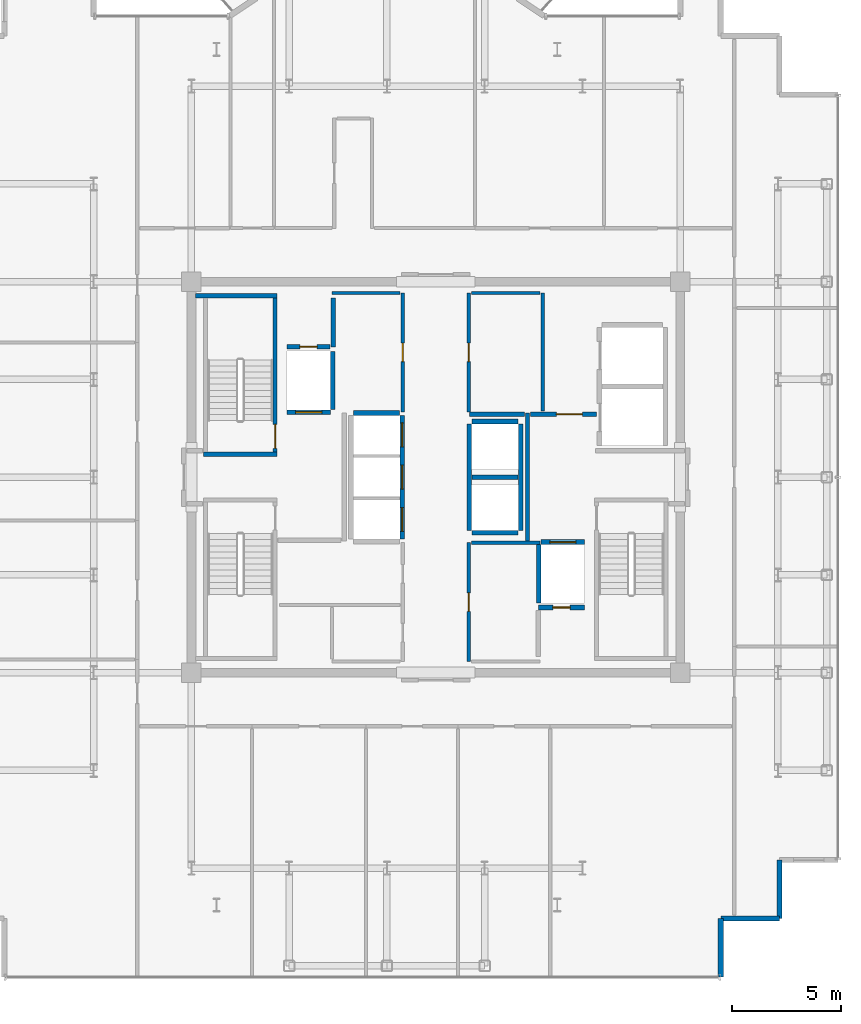
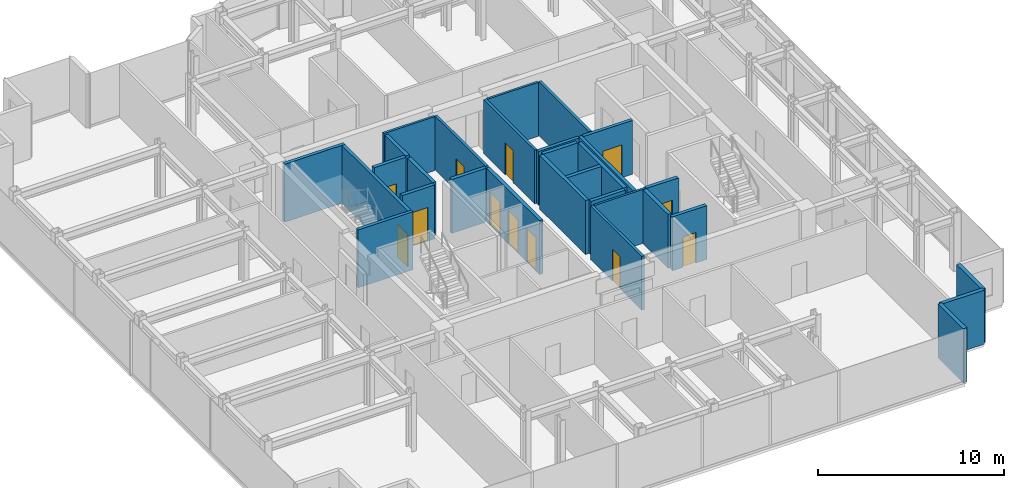
# One storey, part 14 of 18: 30 walls, 12 doors, 12 openings.
"""IFC4 building model written with IfcOpenShell, lengths in metres."""

from ifc_helpers import new_model, si_unit, direction, frame, frame_2d, origin, place, context, subcontext, project, spatial, rectangle, extrude, source, transform, mapped, material, layer, layer_set, type_object, element, fill, save


model = new_model("IFC4")

# Units and contexts
model_context = context("Model", 3, precision=1e-05, world=origin(), true_north=direction((0.0, 1.0)))
body_context = subcontext(model_context, "Body", "Model", "MODEL_VIEW")
ifc_project = project(units=[si_unit("LENGTHUNIT", "METRE"), si_unit("AREAUNIT", "SQUARE_METRE"), si_unit("VOLUMEUNIT", "CUBIC_METRE"), si_unit("PLANEANGLEUNIT", "RADIAN"), si_unit("MASSUNIT", "GRAM", prefix="KILO")], contexts=[model_context])

# Site, building, storey
site_placement = place(None, origin())
site = spatial("IfcSite", under=ifc_project, at=site_placement, CompositionType="ELEMENT")
building_placement = place(site_placement, origin())
building = spatial("IfcBuilding", under=site, at=building_placement, Name="Nefas-Gora Pilgrimage Tower", CompositionType="ELEMENT")
storey_placement = place(building_placement, frame((0.0, 0.0, 326.199951171875)))
storey = spatial("IfcBuildingStorey", under=building, at=storey_placement, Name="L82", CompositionType="ELEMENT", Elevation=326.199951171875)

# Walls
ifc_material_1 = material(Name="Precast concrete C45/55", Category="concrete")
ifc_layer_1 = layer(ifc_material_1, 0.239990234375)
ifc_layer_set_1 = layer_set([ifc_layer_1], Name="Precast concrete C45/55")
wall_type_1 = type_object("IfcWallType", Name="EW-SERR-240", PredefinedType="SHEAR", material=ifc_layer_set_1)
shared_shape_1 = source(origin(), body_context, "Body", "SweptSolid", [
    extrude(rectangle(XDim=2.699951171875, YDim=0.239990234375, at=frame_2d((1.35009765625, 0.0))), origin(), (0.0, 0.0, 1.0), 3.550048828125),
])
for number, where, z_axis, x_axis, name in (
    (1, (13.1201171875, -23.02001953125, 0.0), (0.0, 0.0, 1.0), (0.0, 1.0, 0.0), "L82 Serrated Corner Shear Pier Wall 25"),
    (2, (13.1201171875, -20.320068359375, 0.0), (0.0, 0.0, 1.0), (1.0, 0.0, 0.0), "L82 Serrated Corner Shear Pier Wall 26"),
    (3, (15.820068359375, -20.320068359375, 0.0), (0.0, 0.0, 1.0), (0.0, 1.0, 0.0), "L82 Serrated Corner Shear Pier Wall 27"),
):
    element("IfcWall", number, at=place(storey_placement, frame(where, z_axis=z_axis, x_axis=x_axis)), inside=storey, type_object=wall_type_1, Name=name, PredefinedType="SHEAR", context=body_context, shape_type="MappedRepresentation", body=[
        mapped(shared_shape_1, transform((0.0, 0.0, 0.0), x_axis=(1.0, 0.0, 0.0), y_axis=(0.0, 1.0, 0.0), z_axis=(0.0, 0.0, 1.0), scale=1.0)),
    ])
ifc_material_2 = material(Name="Concrete C45/55", Category="concrete")
ifc_layer_2 = layer(ifc_material_2, 0.199951171875)
ifc_layer_set_2 = layer_set([ifc_layer_2], Name="Concrete C45/55")
wall_type_2 = type_object("IfcWallType", Name="IW-STAIR-200", PredefinedType="SOLIDWALL", material=ifc_layer_set_2)
shared_shape_2 = source(origin(), body_context, "Body", "SweptSolid", [
    extrude(rectangle(XDim=3.39990234375, YDim=0.199951171875, at=frame_2d((1.699951171875, 0.0))), origin(), (0.0, 0.0, 1.0), 3.800048828125),
])
wall_1_placement = place(storey_placement, frame((-7.300048828125, 1.050048828125, 0.0), z_axis=(0.0, 0.0, 1.0), x_axis=(-1.0, 0.0, 0.0)))
element("IfcWall", 4, at=wall_1_placement, inside=storey, type_object=wall_type_2, Name="L82 Stairwell Shear Wall ST-01-near", PredefinedType="SOLIDWALL", context=body_context, shape_type="MappedRepresentation", body=[
    mapped(shared_shape_2, transform((0.0, 0.0, 0.0), x_axis=(1.0, 0.0, 0.0), y_axis=(0.0, 1.0, 0.0), z_axis=(0.0, 0.0, 1.0), scale=1.0)),
])

# Wall, opening, door
shared_shape_3 = source(origin(), body_context, "Body", "SweptSolid", [
    extrude(rectangle(XDim=7.10009765625, YDim=0.199951171875, at=frame_2d((3.550048828125, 0.0))), origin(), (0.0, 0.0, 1.0), 3.800048828125),
])
wall_2_placement = place(storey_placement, frame((-7.39990234375, 1.14990234375, 0.0), z_axis=(0.0, 0.0, 1.0), x_axis=(0.0, 1.0, 0.0)))
wall_2 = element("IfcWall", 5, at=wall_2_placement, inside=storey, type_object=wall_type_2, Name="L82 Stairwell Shear Wall ST-01-left", PredefinedType="SOLIDWALL", context=body_context, shape_type="MappedRepresentation", body=[
    mapped(shared_shape_3, transform((0.0, 0.0, 0.0), x_axis=(1.0, 0.0, 0.0), y_axis=(0.0, 1.0, 0.0), z_axis=(0.0, 0.0, 1.0), scale=1.0)),
])
opening_1_placement = place(wall_2_placement, frame((0.179931640625, 0.0, 0.0)))
opening_1 = element("IfcOpeningElement", 6, at=opening_1_placement, cuts=wall_2, Name="Opening ID-ST1", PredefinedType="OPENING", context=body_context, shape_type="SweptSolid", body=[
    extrude(rectangle(XDim=1.10009765625, YDim=2.14990234375, at=frame_2d((0.550048828125, 1.074951171875))), frame((0.0, 0.10986328125, 0.0), z_axis=(0.0, -1.0, 0.0), x_axis=(1.0, 0.0, 0.0)), (0.0, 0.0, 1.0), 0.219970703125),
])
ifc_material_3 = material(Name="Painted galvanised steel fire stair door", Category="steel")
door_type_1 = type_object("IfcDoorType", Name="DR-INT-STAIR-1100", OperationType="NOTDEFINED", PredefinedType="DOOR", material=ifc_material_3)
shared_shape_4 = source(origin(), body_context, "Body", "SweptSolid", [
    extrude(rectangle(XDim=1.10009765625, YDim=2.14990234375, at=frame_2d((0.550048828125, 1.074951171875))), frame((0.0, 0.02490234375, 0.0), z_axis=(0.0, -1.0, 0.0), x_axis=(1.0, 0.0, 0.0)), (0.0, 0.0, 1.0), 0.050048828125),
])
door_1_placement = place(opening_1_placement, origin())
door_1 = element("IfcDoor", 7, at=door_1_placement, inside=storey, type_object=door_type_1, Name="L82 Protected Exit Stair Door ST-01", OperationType="SINGLE_SWING_RIGHT", OverallHeight=2.14990234375, OverallWidth=1.10009765625, PredefinedType="DOOR", context=body_context, shape_type="MappedRepresentation", body=[
    mapped(shared_shape_4, transform((0.0, 0.0, 0.0), x_axis=(1.0, 0.0, 0.0), y_axis=(0.0, 1.0, 0.0), z_axis=(0.0, 0.0, 1.0), scale=1.0)),
])
fill(opening_1, door_1)

# Wall
shared_shape_5 = source(origin(), body_context, "Body", "SweptSolid", [
    extrude(rectangle(XDim=3.7548828125, YDim=0.199951171875, at=frame_2d((1.87744140625, 0.0))), origin(), (0.0, 0.0, 1.0), 3.800048828125),
])
wall_3_placement = place(storey_placement, frame((-7.300048828125, 8.35009765625, 0.0), z_axis=(0.0, 0.0, 1.0), x_axis=(-1.0, 0.0, 0.0)))
element("IfcWall", 8, at=wall_3_placement, inside=storey, type_object=wall_type_2, Name="L82 Stairwell Shear Wall ST-01-far", PredefinedType="SOLIDWALL", context=body_context, shape_type="MappedRepresentation", body=[
    mapped(shared_shape_5, transform((0.0, 0.0, 0.0), x_axis=(1.0, 0.0, 0.0), y_axis=(0.0, 1.0, 0.0), z_axis=(0.0, 0.0, 1.0), scale=1.0)),
])

# Wall, opening, door
ifc_material_4 = material(Name="Concrete C40/50", Category="concrete")
ifc_layer_3 = layer(ifc_material_4, 0.219970703125)
ifc_layer_set_3 = layer_set([ifc_layer_3], Name="Concrete C40/50")
wall_type_3 = type_object("IfcWallType", Name="IW-SHAFT-220", PredefinedType="SOLIDWALL", material=ifc_layer_set_3)
shared_shape_6 = source(origin(), body_context, "Body", "SweptSolid", [
    extrude(rectangle(XDim=2.0, YDim=0.219970703125, at=frame_2d((1.0, 0.0))), origin(), (0.0, 0.0, 1.0), 3.53515625),
])
wall_4_placement = place(storey_placement, frame((-6.85009765625, 2.989990234375, 0.0), z_axis=(0.0, 0.0, 1.0), x_axis=(1.0, 0.0, 0.0)))
wall_4 = element("IfcWall", 9, at=wall_4_placement, inside=storey, type_object=wall_type_3, Name="L82 Hoistway Wall FFL-01-S", PredefinedType="SOLIDWALL", context=body_context, shape_type="MappedRepresentation", body=[
    mapped(shared_shape_6, transform((0.0, 0.0, 0.0), x_axis=(1.0, 0.0, 0.0), y_axis=(0.0, 1.0, 0.0), z_axis=(0.0, 0.0, 1.0), scale=1.0)),
])
opening_2_placement = place(wall_4_placement, frame((0.39990234375, 0.0, 0.0)))
opening_2 = element("IfcOpeningElement", 10, at=opening_2_placement, cuts=wall_4, Name="Opening LD-FF", PredefinedType="OPENING", context=body_context, shape_type="SweptSolid", body=[
    extrude(rectangle(XDim=1.199951171875, YDim=2.199951171875, at=frame_2d((0.60009765625, 1.10009765625))), frame((0.0, 0.119873046875, 0.0), z_axis=(0.0, -1.0, 0.0), x_axis=(1.0, 0.0, 0.0)), (0.0, 0.0, 1.0), 0.239990234375),
])
ifc_material_5 = material(Name="Fire-service sliding lift landing door")
door_type_2 = type_object("IfcDoorType", Name="DR-LIFT-FSAE-1200", OperationType="SLIDING_TO_LEFT", PredefinedType="DOOR", material=ifc_material_5)
shared_shape_7 = source(origin(), body_context, "Body", "SweptSolid", [
    extrude(rectangle(XDim=1.199951171875, YDim=2.199951171875, at=frame_2d((0.60009765625, 1.10009765625))), frame((0.0, 0.02490234375, 0.0), z_axis=(0.0, -1.0, 0.0), x_axis=(1.0, 0.0, 0.0)), (0.0, 0.0, 1.0), 0.050048828125),
])
door_2_placement = place(opening_2_placement, origin())
door_2 = element("IfcDoor", 11, at=door_2_placement, inside=storey, type_object=door_type_2, Name="L82 Sliding Lift Landing Door FFL-01", OperationType="SLIDING_TO_LEFT", OverallHeight=2.199951171875, OverallWidth=1.199951171875, PredefinedType="DOOR", context=body_context, shape_type="MappedRepresentation", body=[
    mapped(shared_shape_7, transform((0.0, 0.0, 0.0), x_axis=(1.0, 0.0, 0.0), y_axis=(0.0, 1.0, 0.0), z_axis=(0.0, 0.0, 1.0), scale=1.0)),
])
fill(opening_2, door_2)

wall_5_placement = place(storey_placement, frame((6.85009765625, -2.989990234375, 0.0), z_axis=(0.0, 0.0, 1.0), x_axis=(-1.0, 0.0, 0.0)))
wall_5 = element("IfcWall", 12, at=wall_5_placement, inside=storey, type_object=wall_type_3, Name="L82 Hoistway Wall FFL-02-N", PredefinedType="SOLIDWALL", context=body_context, shape_type="MappedRepresentation", body=[
    mapped(shared_shape_6, transform((0.0, 0.0, 0.0), x_axis=(1.0, 0.0, 0.0), y_axis=(0.0, 1.0, 0.0), z_axis=(0.0, 0.0, 1.0), scale=1.0)),
])
opening_3_placement = place(wall_5_placement, frame((0.39990234375, 0.0, 0.0)))
opening_3 = element("IfcOpeningElement", 13, at=opening_3_placement, cuts=wall_5, Name="Opening LD-FF", PredefinedType="OPENING", context=body_context, shape_type="SweptSolid", body=[
    extrude(rectangle(XDim=1.199951171875, YDim=2.199951171875, at=frame_2d((0.60009765625, 1.10009765625))), frame((0.0, 0.119873046875, 0.0), z_axis=(0.0, -1.0, 0.0), x_axis=(1.0, 0.0, 0.0)), (0.0, 0.0, 1.0), 0.239990234375),
])
door_3_placement = place(opening_3_placement, origin())
door_3 = element("IfcDoor", 14, at=door_3_placement, inside=storey, type_object=door_type_2, Name="L82 Sliding Lift Landing Door FFL-02", OperationType="SLIDING_TO_LEFT", OverallHeight=2.199951171875, OverallWidth=1.199951171875, PredefinedType="DOOR", context=body_context, shape_type="MappedRepresentation", body=[
    mapped(shared_shape_7, transform((0.0, 0.0, 0.0), x_axis=(1.0, 0.0, 0.0), y_axis=(0.0, 1.0, 0.0), z_axis=(0.0, 0.0, 1.0), scale=1.0)),
])
fill(opening_3, door_3)

# Walls
shared_shape_8 = source(origin(), body_context, "Body", "SweptSolid", [
    extrude(rectangle(XDim=2.679931640625, YDim=0.219970703125, at=frame_2d((1.33984375, 0.0))), origin(), (0.0, 0.0, 1.0), 3.53515625),
])
for number, where, z_axis, x_axis, name in (
    (15, (-4.739990234375, 3.110107421875, 0.0), (0.0, 0.0, 1.0), (0.0, 1.0, 0.0), "L82 Hoistway Wall FFL-01-E"),
    (16, (4.739990234375, -3.110107421875, 0.0), (0.0, 0.0, 1.0), (0.0, -1.0, 0.0), "L82 Hoistway Wall FFL-02-W"),
):
    element("IfcWall", number, at=place(storey_placement, frame(where, z_axis=z_axis, x_axis=x_axis)), inside=storey, type_object=wall_type_3, Name=name, PredefinedType="SOLIDWALL", context=body_context, shape_type="MappedRepresentation", body=[
        mapped(shared_shape_8, transform((0.0, 0.0, 0.0), x_axis=(1.0, 0.0, 0.0), y_axis=(0.0, 1.0, 0.0), z_axis=(0.0, 0.0, 1.0), scale=1.0)),
    ])

# Wall, openings, doors
shared_shape_9 = source(origin(), body_context, "Body", "SweptSolid", [
    extrude(rectangle(XDim=5.7001953125, YDim=0.219970703125, at=frame_2d((2.85009765625, 0.0))), origin(), (0.0, 0.0, 1.0), 3.53515625),
])
wall_6_placement = place(storey_placement, frame((-1.5400390625, -2.85009765625, 0.0), z_axis=(0.0, 0.0, 1.0), x_axis=(0.0, 1.0, 0.0)))
wall_6 = element("IfcWall", 17, at=wall_6_placement, inside=storey, type_object=wall_type_3, Name="L82 Hoistway Wall PL3-01-03-E", PredefinedType="SOLIDWALL", context=body_context, shape_type="MappedRepresentation", body=[
    mapped(shared_shape_9, transform((0.0, 0.0, 0.0), x_axis=(1.0, 0.0, 0.0), y_axis=(0.0, 1.0, 0.0), z_axis=(0.0, 0.0, 1.0), scale=1.0)),
])
opening_4_placement = place(wall_6_placement, frame((0.35009765625, 0.0, 0.0)))
opening_4 = element("IfcOpeningElement", 18, at=opening_4_placement, cuts=wall_6, Name="Opening LD-01", PredefinedType="OPENING", context=body_context, shape_type="SweptSolid", body=[
    extrude(rectangle(XDim=1.10009765625, YDim=2.199951171875, at=frame_2d((0.550048828125, 1.10009765625))), frame((0.0, 0.119873046875, 0.0), z_axis=(0.0, -1.0, 0.0), x_axis=(1.0, 0.0, 0.0)), (0.0, 0.0, 1.0), 0.239990234375),
])
opening_5_placement = place(wall_6_placement, frame((2.300048828125, 0.0, 0.0)))
opening_5 = element("IfcOpeningElement", 19, at=opening_5_placement, cuts=wall_6, Name="Opening LD-01", PredefinedType="OPENING", context=body_context, shape_type="SweptSolid", body=[
    extrude(rectangle(XDim=1.10009765625, YDim=2.199951171875, at=frame_2d((0.550048828125, 1.10009765625))), frame((0.0, 0.119873046875, 0.0), z_axis=(0.0, -1.0, 0.0), x_axis=(1.0, 0.0, 0.0)), (0.0, 0.0, 1.0), 0.239990234375),
])
opening_6_placement = place(wall_6_placement, frame((4.25, 0.0, 0.0)))
opening_6 = element("IfcOpeningElement", 20, at=opening_6_placement, cuts=wall_6, Name="Opening LD-01", PredefinedType="OPENING", context=body_context, shape_type="SweptSolid", body=[
    extrude(rectangle(XDim=1.10009765625, YDim=2.199951171875, at=frame_2d((0.550048828125, 1.10009765625))), frame((0.0, 0.119873046875, 0.0), z_axis=(0.0, -1.0, 0.0), x_axis=(1.0, 0.0, 0.0)), (0.0, 0.0, 1.0), 0.239990234375),
])
ifc_material_6 = material(Name="Brushed stainless sliding lift landing door")
door_type_3 = type_object("IfcDoorType", Name="DR-LIFT-PASS-1100", OperationType="DOUBLE_DOOR_SLIDING", PredefinedType="DOOR", material=ifc_material_6)
shared_shape_10 = source(origin(), body_context, "Body", "SweptSolid", [
    extrude(rectangle(XDim=1.10009765625, YDim=2.199951171875, at=frame_2d((0.550048828125, 1.10009765625))), frame((0.0, 0.02490234375, 0.0), z_axis=(0.0, -1.0, 0.0), x_axis=(1.0, 0.0, 0.0)), (0.0, 0.0, 1.0), 0.050048828125),
])
door_4_placement = place(opening_4_placement, origin())
door_4 = element("IfcDoor", 21, at=door_4_placement, inside=storey, type_object=door_type_3, Name="L82 Sliding Lift Landing Door PL3-01", OperationType="DOUBLE_DOOR_SLIDING", OverallHeight=2.199951171875, OverallWidth=1.10009765625, PredefinedType="DOOR", context=body_context, shape_type="MappedRepresentation", body=[
    mapped(shared_shape_10, transform((0.0, 0.0, 0.0), x_axis=(1.0, 0.0, 0.0), y_axis=(0.0, 1.0, 0.0), z_axis=(0.0, 0.0, 1.0), scale=1.0)),
])
fill(opening_4, door_4)
door_5_placement = place(opening_5_placement, origin())
door_5 = element("IfcDoor", 22, at=door_5_placement, inside=storey, type_object=door_type_3, Name="L82 Sliding Lift Landing Door PL3-02", OperationType="DOUBLE_DOOR_SLIDING", OverallHeight=2.199951171875, OverallWidth=1.10009765625, PredefinedType="DOOR", context=body_context, shape_type="MappedRepresentation", body=[
    mapped(shared_shape_10, transform((0.0, 0.0, 0.0), x_axis=(1.0, 0.0, 0.0), y_axis=(0.0, 1.0, 0.0), z_axis=(0.0, 0.0, 1.0), scale=1.0)),
])
fill(opening_5, door_5)
door_6_placement = place(opening_6_placement, origin())
door_6 = element("IfcDoor", 23, at=door_6_placement, inside=storey, type_object=door_type_3, Name="L82 Sliding Lift Landing Door PL3-03", OperationType="DOUBLE_DOOR_SLIDING", OverallHeight=2.199951171875, OverallWidth=1.10009765625, PredefinedType="DOOR", context=body_context, shape_type="MappedRepresentation", body=[
    mapped(shared_shape_10, transform((0.0, 0.0, 0.0), x_axis=(1.0, 0.0, 0.0), y_axis=(0.0, 1.0, 0.0), z_axis=(0.0, 0.0, 1.0), scale=1.0)),
])
fill(opening_6, door_6)

# Walls
shared_shape_11 = source(origin(), body_context, "Body", "SweptSolid", [
    extrude(rectangle(XDim=2.130126953125, YDim=0.219970703125, at=frame_2d((1.06494140625, 0.0))), origin(), (0.0, 0.0, 1.0), 3.53515625),
])
for number, where, z_axis, x_axis, name in (
    (24, (-1.659912109375, 2.9599609375, 0.0), (0.0, 0.0, 1.0), (-1.0, 0.0, 0.0), "L82 Hoistway Wall PL3-03-N"),
    (25, (1.659912109375, -2.56005859375, 0.0), (0.0, 0.0, 1.0), (1.0, 0.0, 0.0), "L82 Hoistway Wall OBS-01-S"),
    (26, (1.659912109375, 0.0, 0.0), (0.0, 0.0, 1.0), (1.0, 0.0, 0.0), "L82 Hoistway Wall OBS-01-02-DIV"),
    (27, (3.7900390625, 2.56005859375, 0.0), (0.0, 0.0, 1.0), (-1.0, 0.0, 0.0), "L82 Hoistway Wall OBS-02-N"),
):
    element("IfcWall", number, at=place(storey_placement, frame(where, z_axis=z_axis, x_axis=x_axis)), inside=storey, type_object=wall_type_3, Name=name, PredefinedType="SOLIDWALL", context=body_context, shape_type="MappedRepresentation", body=[
        mapped(shared_shape_11, transform((0.0, 0.0, 0.0), x_axis=(1.0, 0.0, 0.0), y_axis=(0.0, 1.0, 0.0), z_axis=(0.0, 0.0, 1.0), scale=1.0)),
    ])

# Wall, opening, door
wall_7_placement = place(storey_placement, frame((4.719970703125, -6.0, 0.0), z_axis=(0.0, 0.0, 1.0), x_axis=(1.0, 0.0, 0.0)))
wall_7 = element("IfcWall", 28, at=wall_7_placement, inside=storey, type_object=wall_type_3, Name="L82 Riser Shaft Wall 3", PredefinedType="SOLIDWALL", context=body_context, shape_type="MappedRepresentation", body=[
    mapped(shared_shape_11, transform((0.0, 0.0, 0.0), x_axis=(1.0, 0.0, 0.0), y_axis=(0.0, 1.0, 0.0), z_axis=(0.0, 0.0, 1.0), scale=1.0)),
])
opening_7_placement = place(wall_7_placement, frame((0.6650390625, 0.0, 0.0)))
opening_7 = element("IfcOpeningElement", 29, at=opening_7_placement, cuts=wall_7, Name="Opening ID-TR1", PredefinedType="OPENING", context=body_context, shape_type="SweptSolid", body=[
    extrude(rectangle(XDim=0.800048828125, YDim=2.0, at=frame_2d((0.39990234375, 1.0))), frame((0.0, 0.119873046875, 0.0), z_axis=(0.0, -1.0, 0.0), x_axis=(1.0, 0.0, 0.0)), (0.0, 0.0, 1.0), 0.239990234375),
])
ifc_material_7 = material(Name="Riser maintenance fire access door")
door_type_4 = type_object("IfcDoorType", Name="DR-INT-TRAP-800", OperationType="NOTDEFINED", PredefinedType="TRAPDOOR", material=ifc_material_7)
shared_shape_12 = source(origin(), body_context, "Body", "SweptSolid", [
    extrude(rectangle(XDim=0.800048828125, YDim=2.0, at=frame_2d((0.39990234375, 1.0))), frame((0.0, 0.02490234375, 0.0), z_axis=(0.0, -1.0, 0.0), x_axis=(1.0, 0.0, 0.0)), (0.0, 0.0, 1.0), 0.050048828125),
])
door_7_placement = place(opening_7_placement, origin())
door_7 = element("IfcDoor", 30, at=door_7_placement, inside=storey, type_object=door_type_4, Name="L82 Riser Shaft Door 2", OperationType="SINGLE_SWING_RIGHT", OverallHeight=2.0, OverallWidth=0.800048828125, PredefinedType="TRAPDOOR", context=body_context, shape_type="MappedRepresentation", body=[
    mapped(shared_shape_12, transform((0.0, 0.0, 0.0), x_axis=(1.0, 0.0, 0.0), y_axis=(0.0, 1.0, 0.0), z_axis=(0.0, 0.0, 1.0), scale=1.0)),
])
fill(opening_7, door_7)

# Walls
shared_shape_13 = source(origin(), body_context, "Body", "SweptSolid", [
    extrude(rectangle(XDim=4.89990234375, YDim=0.219970703125, at=frame_2d((2.449951171875, 0.0))), origin(), (0.0, 0.0, 1.0), 3.53515625),
])
for number, where, z_axis, x_axis, name in (
    (31, (1.5400390625, 2.449951171875, 0.0), (0.0, 0.0, 1.0), (0.0, -1.0, 0.0), "L82 Hoistway Wall OBS-01-02-W"),
    (32, (3.909912109375, -2.449951171875, 0.0), (0.0, 0.0, 1.0), (0.0, 1.0, 0.0), "L82 Hoistway Wall OBS-01-02-E"),
):
    element("IfcWall", number, at=place(storey_placement, frame(where, z_axis=z_axis, x_axis=x_axis)), inside=storey, type_object=wall_type_3, Name=name, PredefinedType="SOLIDWALL", context=body_context, shape_type="MappedRepresentation", body=[
        mapped(shared_shape_13, transform((0.0, 0.0, 0.0), x_axis=(1.0, 0.0, 0.0), y_axis=(0.0, 1.0, 0.0), z_axis=(0.0, 0.0, 1.0), scale=1.0)),
    ])
ifc_material_8 = material(Name="Gypsum fire-rated shaftwall")
ifc_layer_4 = layer(ifc_material_8, 0.199951171875)
ifc_layer_set_4 = layer_set([ifc_layer_4], Name="Gypsum fire-rated shaftwall")
wall_type_4 = type_object("IfcWallType", Name="IW-FFLOB-200", PredefinedType="PARTITIONING", material=ifc_layer_set_4)
shared_shape_14 = source(origin(), body_context, "Body", "SweptSolid", [
    extrude(rectangle(XDim=5.89990234375, YDim=0.199951171875, at=frame_2d((2.949951171875, 0.0))), origin(), (0.0, 0.0, 1.0), 3.53515625),
])
wall_8_placement = place(storey_placement, frame((4.219970703125, -2.949951171875, 0.0), z_axis=(0.0, 0.0, 1.0), x_axis=(0.0, 1.0, 0.0)))
element("IfcWall", 33, at=wall_8_placement, inside=storey, type_object=wall_type_4, Name="L82 FF Lobby East Inner Wall Wall 11", PredefinedType="PARTITIONING", context=body_context, shape_type="MappedRepresentation", body=[
    mapped(shared_shape_14, transform((0.0, 0.0, 0.0), x_axis=(1.0, 0.0, 0.0), y_axis=(0.0, 1.0, 0.0), z_axis=(0.0, 0.0, 1.0), scale=1.0)),
])

# Wall, opening, door
shared_shape_15 = source(origin(), body_context, "Body", "SweptSolid", [
    extrude(rectangle(XDim=3.039794921875, YDim=0.199951171875, at=frame_2d((1.52001953125, 0.0))), origin(), (0.0, 0.0, 1.0), 3.53515625),
])
wall_9_placement = place(storey_placement, frame((4.360107421875, 2.89990234375, 0.0), z_axis=(0.0, 0.0, 1.0), x_axis=(1.0, 0.0, 0.0)))
wall_9 = element("IfcWall", 34, at=wall_9_placement, inside=storey, type_object=wall_type_4, Name="L82 FF Lobby East North Wall Wall 13", PredefinedType="PARTITIONING", context=body_context, shape_type="MappedRepresentation", body=[
    mapped(shared_shape_15, transform((0.0, 0.0, 0.0), x_axis=(1.0, 0.0, 0.0), y_axis=(0.0, 1.0, 0.0), z_axis=(0.0, 0.0, 1.0), scale=1.0)),
])
opening_8_placement = place(wall_9_placement, frame((1.18994140625, 0.0, 0.0)))
opening_8 = element("IfcOpeningElement", 35, at=opening_8_placement, cuts=wall_9, Name="Opening ID-PL1", PredefinedType="OPENING", context=body_context, shape_type="SweptSolid", body=[
    extrude(rectangle(XDim=1.199951171875, YDim=2.14990234375, at=frame_2d((0.60009765625, 1.074951171875))), frame((0.0, 0.10986328125, 0.0), z_axis=(0.0, -1.0, 0.0), x_axis=(1.0, 0.0, 0.0)), (0.0, 0.0, 1.0), 0.219970703125),
])
ifc_material_9 = material(Name="Heavy-duty steel plant room fire door", Category="steel")
door_type_5 = type_object("IfcDoorType", Name="DR-INT-PLANT-1200", OperationType="NOTDEFINED", PredefinedType="DOOR", material=ifc_material_9)
shared_shape_16 = source(origin(), body_context, "Body", "SweptSolid", [
    extrude(rectangle(XDim=1.199951171875, YDim=2.14990234375, at=frame_2d((0.60009765625, 1.074951171875))), frame((0.0, 0.02490234375, 0.0), z_axis=(0.0, -1.0, 0.0), x_axis=(1.0, 0.0, 0.0)), (0.0, 0.0, 1.0), 0.050048828125),
])
door_8_placement = place(opening_8_placement, origin())
door_8 = element("IfcDoor", 36, at=door_8_placement, inside=storey, type_object=door_type_5, Name="L82 Service Lift Lobby Door Door 5", OperationType="SINGLE_SWING_LEFT", OverallHeight=2.14990234375, OverallWidth=1.199951171875, PredefinedType="DOOR", context=body_context, shape_type="MappedRepresentation", body=[
    mapped(shared_shape_16, transform((0.0, 0.0, 0.0), x_axis=(1.0, 0.0, 0.0), y_axis=(0.0, 1.0, 0.0), z_axis=(0.0, 0.0, 1.0), scale=1.0)),
])
fill(opening_8, door_8)

# Walls
ifc_material_10 = material(Name="Gypsum twin-stud partition")
ifc_layer_5 = layer(ifc_material_10, 0.139892578125)
ifc_layer_set_5 = layer_set([ifc_layer_5], Name="Gypsum twin-stud partition")
wall_type_5 = type_object("IfcWallType", Name="IW-UNIT-140", PredefinedType="PARTITIONING", material=ifc_layer_set_5)
shared_shape_17 = source(origin(), body_context, "Body", "SweptSolid", [
    extrude(rectangle(XDim=3.150146484375, YDim=0.139892578125, at=frame_2d((1.5751953125, 0.0))), origin(), (0.0, 0.0, 1.0), 3.53515625),
])
for number, where, z_axis, x_axis, name in (
    (37, (-4.7900390625, 8.47998046875, 0.0), (0.0, 0.0, 1.0), (1.0, 0.0, 0.0), "L82 Housekeeping and Linen Store Partition Wall 20"),
    (38, (1.639892578125, 8.47998046875, 0.0), (0.0, 0.0, 1.0), (1.0, 0.0, 0.0), "L82 Freed Bank-1 Amenity Supply Store Partition Wall 24"),
    (39, (1.639892578125, -3.02001953125, 0.0), (0.0, 0.0, 1.0), (1.0, 0.0, 0.0), "L82 Freed Bank-2 East Linen Store Partition Wall 28"),
):
    element("IfcWall", number, at=place(storey_placement, frame(where, z_axis=z_axis, x_axis=x_axis)), inside=storey, type_object=wall_type_5, Name=name, PredefinedType="PARTITIONING", context=body_context, shape_type="MappedRepresentation", body=[
        mapped(shared_shape_17, transform((0.0, 0.0, 0.0), x_axis=(1.0, 0.0, 0.0), y_axis=(0.0, 1.0, 0.0), z_axis=(0.0, 0.0, 1.0), scale=1.0)),
    ])
shared_shape_18 = source(origin(), body_context, "Body", "SweptSolid", [
    extrude(rectangle(XDim=2.25, YDim=0.219970703125, at=frame_2d((1.125, 0.0))), origin(), (0.0, 0.0, 1.0), 3.53515625),
])
wall_10_placement = place(storey_placement, frame((-4.719970703125, 6.0, 0.0), z_axis=(0.0, 0.0, 1.0), x_axis=(0.0, 1.0, 0.0)))
element("IfcWall", 40, at=wall_10_placement, inside=storey, type_object=wall_type_3, Name="L82 Riser Shaft Wall 1", PredefinedType="SOLIDWALL", context=body_context, shape_type="MappedRepresentation", body=[
    mapped(shared_shape_18, transform((0.0, 0.0, 0.0), x_axis=(1.0, 0.0, 0.0), y_axis=(0.0, 1.0, 0.0), z_axis=(0.0, 0.0, 1.0), scale=1.0)),
])

# Wall, opening, door
shared_shape_19 = source(origin(), body_context, "Body", "SweptSolid", [
    extrude(rectangle(XDim=1.97998046875, YDim=0.219970703125, at=frame_2d((0.989990234375, 0.0))), origin(), (0.0, 0.0, 1.0), 3.53515625),
])
wall_11_placement = place(storey_placement, frame((-6.85009765625, 6.0, 0.0), z_axis=(0.0, 0.0, 1.0), x_axis=(1.0, 0.0, 0.0)))
wall_11 = element("IfcWall", 41, at=wall_11_placement, inside=storey, type_object=wall_type_3, Name="L82 Riser Shaft Wall 2", PredefinedType="SOLIDWALL", context=body_context, shape_type="MappedRepresentation", body=[
    mapped(shared_shape_19, transform((0.0, 0.0, 0.0), x_axis=(1.0, 0.0, 0.0), y_axis=(0.0, 1.0, 0.0), z_axis=(0.0, 0.0, 1.0), scale=1.0)),
])
opening_9_placement = place(wall_11_placement, frame((0.590087890625, 0.0, 0.0)))
opening_9 = element("IfcOpeningElement", 42, at=opening_9_placement, cuts=wall_11, Name="Opening ID-TR1", PredefinedType="OPENING", context=body_context, shape_type="SweptSolid", body=[
    extrude(rectangle(XDim=0.800048828125, YDim=2.0, at=frame_2d((0.39990234375, 1.0))), frame((0.0, 0.119873046875, 0.0), z_axis=(0.0, -1.0, 0.0), x_axis=(1.0, 0.0, 0.0)), (0.0, 0.0, 1.0), 0.239990234375),
])
door_9_placement = place(opening_9_placement, origin())
door_9 = element("IfcDoor", 43, at=door_9_placement, inside=storey, type_object=door_type_4, Name="L82 Riser Shaft Door 1", OperationType="SINGLE_SWING_LEFT", OverallHeight=2.0, OverallWidth=0.800048828125, PredefinedType="TRAPDOOR", context=body_context, shape_type="MappedRepresentation", body=[
    mapped(shared_shape_12, transform((0.0, 0.0, 0.0), x_axis=(1.0, 0.0, 0.0), y_axis=(0.0, 1.0, 0.0), z_axis=(0.0, 0.0, 1.0), scale=1.0)),
])
fill(opening_9, door_9)

# Walls
shared_shape_20 = source(origin(), body_context, "Body", "SweptSolid", [
    extrude(rectangle(XDim=2.52001953125, YDim=0.199951171875, at=frame_2d((1.260009765625, 0.0))), origin(), (0.0, 0.0, 1.0), 3.53515625),
])
wall_12_placement = place(storey_placement, frame((1.56005859375, 2.89990234375, 0.0), z_axis=(0.0, 0.0, 1.0), x_axis=(1.0, 0.0, 0.0)))
element("IfcWall", 44, at=wall_12_placement, inside=storey, type_object=wall_type_4, Name="L82 FF Lobby East North Wall Wall 12", PredefinedType="PARTITIONING", context=body_context, shape_type="MappedRepresentation", body=[
    mapped(shared_shape_20, transform((0.0, 0.0, 0.0), x_axis=(1.0, 0.0, 0.0), y_axis=(0.0, 1.0, 0.0), z_axis=(0.0, 0.0, 1.0), scale=1.0)),
])
ifc_material_11 = material(Name="Gypsum acoustic stud partition")
ifc_layer_6 = layer(ifc_material_11, 0.159912109375)
ifc_layer_set_6 = layer_set([ifc_layer_6], Name="Gypsum acoustic stud partition")
wall_type_6 = type_object("IfcWallType", Name="IW-CORR-160", PredefinedType="PARTITIONING", material=ifc_layer_set_6)
shared_shape_21 = source(origin(), body_context, "Body", "SweptSolid", [
    extrude(rectangle(XDim=5.449951171875, YDim=0.159912109375, at=frame_2d((2.72509765625, 0.0))), origin(), (0.0, 0.0, 1.0), 3.53515625),
])
wall_13_placement = place(storey_placement, frame((4.919921875, 3.0400390625, 0.0), z_axis=(0.0, 0.0, 1.0), x_axis=(0.0, 1.0, 0.0)))
element("IfcWall", 45, at=wall_13_placement, inside=storey, type_object=wall_type_6, Name="L82 Service Lift Lobby West Wall Wall 18", PredefinedType="PARTITIONING", context=body_context, shape_type="MappedRepresentation", body=[
    mapped(shared_shape_21, transform((0.0, 0.0, 0.0), x_axis=(1.0, 0.0, 0.0), y_axis=(0.0, 1.0, 0.0), z_axis=(0.0, 0.0, 1.0), scale=1.0)),
])

# Wall, opening, door
shared_shape_22 = source(origin(), body_context, "Body", "SweptSolid", [
    extrude(rectangle(XDim=5.47998046875, YDim=0.159912109375, at=frame_2d((2.739990234375, 0.0))), origin(), (0.0, 0.0, 1.0), 3.53515625),
])
wall_14_placement = place(storey_placement, frame((-1.52001953125, 3.010009765625, 0.0), z_axis=(0.0, 0.0, 1.0), x_axis=(0.0, 1.0, 0.0)))
wall_14 = element("IfcWall", 46, at=wall_14_placement, inside=storey, type_object=wall_type_6, Name="L82 Housekeeping and Linen Store Wall 19", PredefinedType="PARTITIONING", context=body_context, shape_type="MappedRepresentation", body=[
    mapped(shared_shape_22, transform((0.0, 0.0, 0.0), x_axis=(1.0, 0.0, 0.0), y_axis=(0.0, 1.0, 0.0), z_axis=(0.0, 0.0, 1.0), scale=1.0)),
])
opening_10_placement = place(wall_14_placement, frame((2.31494140625, 0.0, 0.0)))
opening_10 = element("IfcOpeningElement", 47, at=opening_10_placement, cuts=wall_14, Name="Opening ID-BT1", PredefinedType="OPENING", context=body_context, shape_type="SweptSolid", body=[
    extrude(rectangle(XDim=0.85009765625, YDim=2.10009765625, at=frame_2d((0.425048828125, 1.050048828125))), frame((0.0, 0.08984375, 0.0), z_axis=(0.0, -1.0, 0.0), x_axis=(1.0, 0.0, 0.0)), (0.0, 0.0, 1.0), 0.179931640625),
])
ifc_material_12 = material(Name="Moisture-resistant fire-rated timber door", Category="wood")
door_type_6 = type_object("IfcDoorType", Name="DR-INT-BATH-850", OperationType="NOTDEFINED", PredefinedType="DOOR", material=ifc_material_12)
shared_shape_23 = source(origin(), body_context, "Body", "SweptSolid", [
    extrude(rectangle(XDim=0.85009765625, YDim=2.10009765625, at=frame_2d((0.425048828125, 1.050048828125))), frame((0.0, 0.02490234375, 0.0), z_axis=(0.0, -1.0, 0.0), x_axis=(1.0, 0.0, 0.0)), (0.0, 0.0, 1.0), 0.050048828125),
])
door_10_placement = place(opening_10_placement, origin())
door_10 = element("IfcDoor", 48, at=door_10_placement, inside=storey, type_object=door_type_6, Name="L82 Housekeeping and Linen Store Door 8", OperationType="SINGLE_SWING_RIGHT", OverallHeight=2.10009765625, OverallWidth=0.85009765625, PredefinedType="DOOR", context=body_context, shape_type="MappedRepresentation", body=[
    mapped(shared_shape_23, transform((0.0, 0.0, 0.0), x_axis=(1.0, 0.0, 0.0), y_axis=(0.0, 1.0, 0.0), z_axis=(0.0, 0.0, 1.0), scale=1.0)),
])
fill(opening_10, door_10)

wall_15_placement = place(storey_placement, frame((1.52001953125, 3.010009765625, 0.0), z_axis=(0.0, 0.0, 1.0), x_axis=(0.0, 1.0, 0.0)))
wall_15 = element("IfcWall", 49, at=wall_15_placement, inside=storey, type_object=wall_type_6, Name="L82 Freed Bank-1 Amenity Supply Store Wall 23", PredefinedType="PARTITIONING", context=body_context, shape_type="MappedRepresentation", body=[
    mapped(shared_shape_22, transform((0.0, 0.0, 0.0), x_axis=(1.0, 0.0, 0.0), y_axis=(0.0, 1.0, 0.0), z_axis=(0.0, 0.0, 1.0), scale=1.0)),
])
opening_11_placement = place(wall_15_placement, frame((2.31494140625, 0.0, 0.0)))
opening_11 = element("IfcOpeningElement", 50, at=opening_11_placement, cuts=wall_15, Name="Opening ID-BT1", PredefinedType="OPENING", context=body_context, shape_type="SweptSolid", body=[
    extrude(rectangle(XDim=0.85009765625, YDim=2.10009765625, at=frame_2d((0.425048828125, 1.050048828125))), frame((0.0, 0.08984375, 0.0), z_axis=(0.0, -1.0, 0.0), x_axis=(1.0, 0.0, 0.0)), (0.0, 0.0, 1.0), 0.179931640625),
])
door_11_placement = place(opening_11_placement, origin())
door_11 = element("IfcDoor", 51, at=door_11_placement, inside=storey, type_object=door_type_6, Name="L82 Freed Bank-1 Amenity Supply Store Door 11", OperationType="SINGLE_SWING_LEFT", OverallHeight=2.10009765625, OverallWidth=0.85009765625, PredefinedType="DOOR", context=body_context, shape_type="MappedRepresentation", body=[
    mapped(shared_shape_23, transform((0.0, 0.0, 0.0), x_axis=(1.0, 0.0, 0.0), y_axis=(0.0, 1.0, 0.0), z_axis=(0.0, 0.0, 1.0), scale=1.0)),
])
fill(opening_11, door_11)

wall_16_placement = place(storey_placement, frame((1.52001953125, -8.489990234375, 0.0), z_axis=(0.0, 0.0, 1.0), x_axis=(0.0, 1.0, 0.0)))
wall_16 = element("IfcWall", 52, at=wall_16_placement, inside=storey, type_object=wall_type_6, Name="L82 Freed Bank-2 East Linen Store Wall 27", PredefinedType="PARTITIONING", context=body_context, shape_type="MappedRepresentation", body=[
    mapped(shared_shape_22, transform((0.0, 0.0, 0.0), x_axis=(1.0, 0.0, 0.0), y_axis=(0.0, 1.0, 0.0), z_axis=(0.0, 0.0, 1.0), scale=1.0)),
])
opening_12_placement = place(wall_16_placement, frame((2.31494140625, 0.0, 0.0)))
opening_12 = element("IfcOpeningElement", 53, at=opening_12_placement, cuts=wall_16, Name="Opening ID-BT1", PredefinedType="OPENING", context=body_context, shape_type="SweptSolid", body=[
    extrude(rectangle(XDim=0.85009765625, YDim=2.10009765625, at=frame_2d((0.425048828125, 1.050048828125))), frame((0.0, 0.08984375, 0.0), z_axis=(0.0, -1.0, 0.0), x_axis=(1.0, 0.0, 0.0)), (0.0, 0.0, 1.0), 0.179931640625),
])
door_12_placement = place(opening_12_placement, origin())
door_12 = element("IfcDoor", 54, at=door_12_placement, inside=storey, type_object=door_type_6, Name="L82 Freed Bank-2 East Linen Store Door 12", OperationType="SINGLE_SWING_RIGHT", OverallHeight=2.10009765625, OverallWidth=0.85009765625, PredefinedType="DOOR", context=body_context, shape_type="MappedRepresentation", body=[
    mapped(shared_shape_23, transform((0.0, 0.0, 0.0), x_axis=(1.0, 0.0, 0.0), y_axis=(0.0, 1.0, 0.0), z_axis=(0.0, 0.0, 1.0), scale=1.0)),
])
fill(opening_12, door_12)

save(model, "model.ifc")
